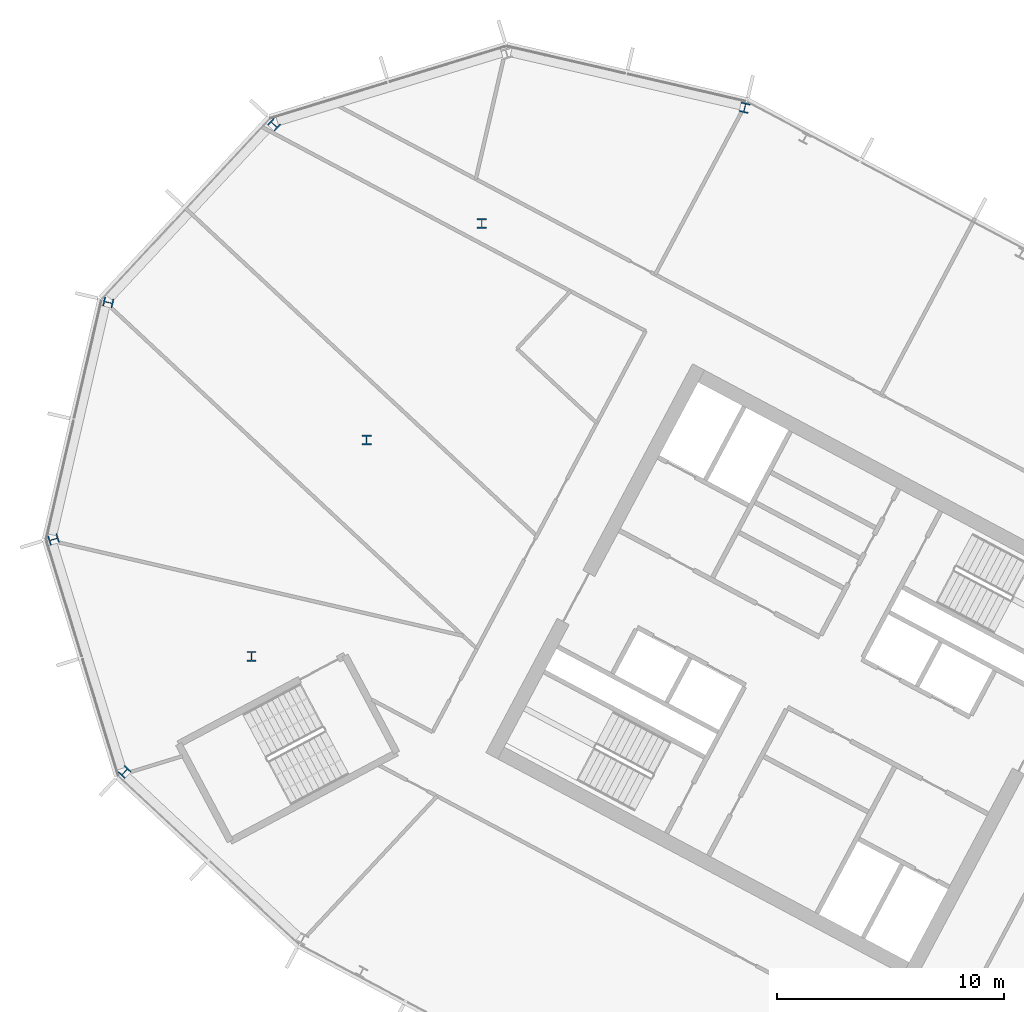
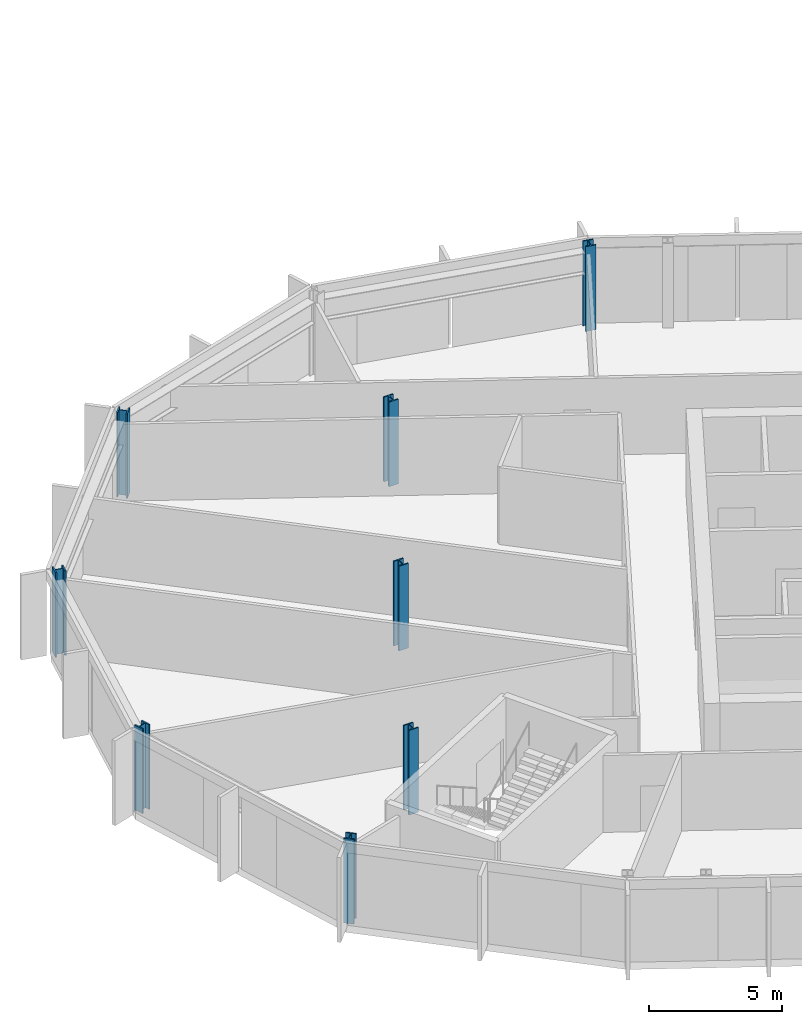
# One storey, part 3 of 27: 8 columns.
"""IFC4 building model written with IfcOpenShell, lengths in metres."""

import ifcopenshell
import ifcopenshell.guid

model = None  # the IFC model being written
_history = None  # IfcOwnerHistory: only IFC2X3 demands one
_inside = {}  # id of a spatial element -> (the spatial element, [elements in it])
_under = {}  # id of a project, library or spatial element -> (it, [spatial elements below it])
_declared = {}  # id of a project -> (the project, [libraries it declares])
_typed = {}  # id of a type object -> (the type object, [elements of that type])
_made_of = {}  # id of a material, layer set ... -> (it, [elements and type objects made of it])


def new_model(schema):
    """Start an empty IFC model of exactly this schema.

    Asked for "IFC4X3", IfcOpenShell would pick the latest addendum, in which some entities
    have other attributes; the version numbers below select the first issue.
    IFC2X3 requires an IfcOwnerHistory on every rooted entity: one is made here for all.
    """
    global model, _history
    if schema == "IFC4X3":
        model = ifcopenshell.file(schema_version=(4, 3, 0, 0))
    else:
        model = ifcopenshell.file(schema=schema)
    _inside.clear()
    _under.clear()
    _declared.clear()
    _typed.clear()
    _made_of.clear()
    _history = None
    if model.schema == "IFC2X3":
        org = make("IfcOrganization", Name="unknown")
        user = make(
            "IfcPersonAndOrganization",
            ThePerson=make("IfcPerson", FamilyName="unknown"),
            TheOrganization=org,
        )
        app = make(
            "IfcApplication",
            ApplicationDeveloper=org,
            Version="unknown",
            ApplicationFullName="unknown",
            ApplicationIdentifier="unknown",
        )
        _history = make(
            "IfcOwnerHistory",
            OwningUser=user,
            OwningApplication=app,
            ChangeAction="ADDED",
            CreationDate=0,
        )
    return model


def make(cls, **values):
    """One entity of the class cls with the attributes given. An attribute that is None is left unset."""
    return model.create_entity(
        cls, **{name: value for name, value in values.items() if value is not None}
    )


def rooted(cls, **values):
    """An entity with a GlobalId (a new one), such as an element, a storey or a relation."""
    return make(cls, GlobalId=ifcopenshell.guid.new(), OwnerHistory=_history, **values)


def si_unit(unit_type, name, prefix=None):
    """IfcSIUnit, for example si_unit("LENGTHUNIT", "METRE", prefix="MILLI")."""
    return make("IfcSIUnit", UnitType=unit_type, Prefix=prefix, Name=name)


def assignment(units):
    """IfcUnitAssignment: the units of a project."""
    return None if units is None else make("IfcUnitAssignment", Units=units)


def point(xyz):
    """IfcCartesianPoint."""
    return None if xyz is None else make("IfcCartesianPoint", Coordinates=xyz)


def direction(xyz):
    """IfcDirection."""
    return None if xyz is None else make("IfcDirection", DirectionRatios=xyz)


def frame(location, z_axis=None, x_axis=None):
    """IfcAxis2Placement3D, a coordinate frame: its origin and axes. An axis left out is left unset."""
    return make(
        "IfcAxis2Placement3D",
        Location=point(location),
        Axis=direction(z_axis),
        RefDirection=direction(x_axis),
    )


def frame_2d(location, x_axis=None):
    """IfcAxis2Placement2D, a coordinate frame in the plane: its origin and x axis."""
    return make(
        "IfcAxis2Placement2D", Location=point(location), RefDirection=direction(x_axis)
    )


def origin():
    """The frame at (0, 0, 0) with its axes left unset."""
    return frame((0.0, 0.0, 0.0))


def origin_2d():
    """The frame at (0, 0) in the plane with its x axis left unset."""
    return frame_2d((0.0, 0.0))


def place(relative_to, where):
    """IfcLocalPlacement: puts the frame where relative to a parent placement (None: the world)."""
    return make(
        "IfcLocalPlacement", PlacementRelTo=relative_to, RelativePlacement=where
    )


def context(
    kind, dimensions, precision=None, world=None, true_north=None, identifier=None
):
    """IfcGeometricRepresentationContext, for example the 3D "Model" context."""
    return make(
        "IfcGeometricRepresentationContext",
        ContextIdentifier=identifier,
        ContextType=kind,
        CoordinateSpaceDimension=dimensions,
        Precision=precision,
        WorldCoordinateSystem=world,
        TrueNorth=true_north,
    )


def subcontext(parent, identifier, kind, view, scale=None):
    """IfcGeometricRepresentationSubContext, for example "Body" below "Model"."""
    return make(
        "IfcGeometricRepresentationSubContext",
        ContextIdentifier=identifier,
        ContextType=kind,
        ParentContext=parent,
        TargetScale=scale,
        TargetView=view,
    )


def project(units=None, contexts=None):
    """IfcProject with its units and contexts."""
    return rooted(
        "IfcProject",
        Name="project",
        RepresentationContexts=contexts,
        UnitsInContext=assignment(units),
    )


def spatial(cls, under=None, at=None, **own):
    """A site, building, storey or space (cls), placed at a placement, below another one or the project."""
    s = rooted(cls, ObjectPlacement=at, **own)
    if under is not None:
        _under.setdefault(under.id(), (under, []))[1].append(s)
    return s


def profile(cls, at=None, kind="AREA", **sizes):
    """A parametric profile (cls). Its sizes go by their IFC names, for example OverallWidth=200.0."""
    return make(cls, ProfileType=kind, Position=at, **sizes)


def i_section(**sizes):
    """IfcIShapeProfileDef."""
    return profile("IfcIShapeProfileDef", **sizes)


def extrude(swept, where, along, depth):
    """IfcExtrudedAreaSolid: the profile swept, set in the frame where, extruded along a direction by depth."""
    return make(
        "IfcExtrudedAreaSolid",
        SweptArea=swept,
        Position=where,
        ExtrudedDirection=direction(along),
        Depth=depth,
    )


def shape(context_of_items, identifier, shape_type, items):
    """IfcShapeRepresentation: the items that make up one representation, for example the "Body"."""
    return make(
        "IfcShapeRepresentation",
        ContextOfItems=context_of_items,
        RepresentationIdentifier=identifier,
        RepresentationType=shape_type,
        Items=items,
    )


def material(Name=None, Category=None):
    """IfcMaterial."""
    return make("IfcMaterial", Name=Name, Category=Category)


def material_profile(
    of_material, cross_section, Name=None, Category=None, Priority=None
):
    """IfcMaterialProfile: a cross section and its material."""
    return make(
        "IfcMaterialProfile",
        Name=Name,
        Material=of_material,
        Profile=cross_section,
        Priority=Priority,
        Category=Category,
    )


def profile_set(profiles, Name=None, composite=None):
    """IfcMaterialProfileSet."""
    return make(
        "IfcMaterialProfileSet",
        Name=Name,
        MaterialProfiles=profiles,
        CompositeProfile=composite,
    )


def made_of(thing, what):
    """Note that an element or type object is made of a material, layer set ...; save() writes the relation."""
    if what is not None:
        _made_of.setdefault(what.id(), (what, []))[1].append(thing)
    return thing


def type_object(cls, material=None, **own):
    """A type object (cls), such as IfcWallType, which elements share."""
    return made_of(rooted(cls, **own), material)


def element(
    cls,
    number,
    at=None,
    inside=None,
    cuts=None,
    type_object=None,
    material=None,
    context=None,
    identifier="Body",
    shape_type=None,
    held_by="IfcProductDefinitionShape",
    body=None,
    shapes=None,
    **own,
):
    """One element of the class cls, such as IfcWall. Its Tag is "e" and its number.

    at: its placement. inside: the storey or other place that contains it. cuts: it is an
    opening in that element (IfcRelVoidsElement). A single representation is given by context,
    identifier, shape_type and body (its items); several are given by shapes. held_by: the class
    of the entity that holds the representations. save() writes the other relations.
    """
    e = rooted(cls, Tag="e%d" % number, ObjectPlacement=at, **own)
    if body is not None:
        shapes = [shape(context, identifier, shape_type, body)]
    if shapes is not None:
        e.Representation = make(held_by, Representations=shapes)
    if inside is not None:
        _inside.setdefault(inside.id(), (inside, []))[1].append(e)
    if cuts is not None:
        rooted(
            "IfcRelVoidsElement", RelatingBuildingElement=cuts, RelatedOpeningElement=e
        )
    if type_object is not None:
        _typed.setdefault(type_object.id(), (type_object, []))[1].append(e)
    return made_of(e, material)


def aggregate(whole, parts):
    """IfcRelAggregates: a whole, such as a stair, and the parts it consists of."""
    return rooted("IfcRelAggregates", RelatingObject=whole, RelatedObjects=parts)


def save(model, path):
    """Write the relations noted so far, then the file.

    IfcRelAggregates (storeys below a building ...), IfcRelContainedInSpatialStructure (elements
    in a storey), IfcRelDefinesByType, IfcRelAssociatesMaterial and IfcRelDeclares: one each for
    every whole, place, type object, material and project.
    """
    for whole, parts in _under.values():
        aggregate(whole, parts)
    for where, things in _inside.values():
        rooted(
            "IfcRelContainedInSpatialStructure",
            RelatedElements=things,
            RelatingStructure=where,
        )
    for kind, things in _typed.values():
        rooted("IfcRelDefinesByType", RelatedObjects=things, RelatingType=kind)
    for what, things in _made_of.values():
        rooted("IfcRelAssociatesMaterial", RelatedObjects=things, RelatingMaterial=what)
    for by, libraries in _declared.values():
        rooted("IfcRelDeclares", RelatingContext=by, RelatedDefinitions=libraries)
    model.write(path)


model = new_model("IFC4")

# Units and contexts
model_context = context("Model", 3, precision=1e-05, world=origin(), true_north=direction((0.0, 1.0)))
body_context = subcontext(model_context, "Body", "Model", "MODEL_VIEW")
ifc_project = project(units=[si_unit("LENGTHUNIT", "METRE"), si_unit("AREAUNIT", "SQUARE_METRE"), si_unit("VOLUMEUNIT", "CUBIC_METRE"), si_unit("PLANEANGLEUNIT", "RADIAN"), si_unit("MASSUNIT", "GRAM", prefix="KILO")], contexts=[model_context])

# Site, building, storey
site_placement = place(None, origin())
site = spatial("IfcSite", under=ifc_project, at=site_placement, CompositionType="ELEMENT")
building_placement = place(site_placement, origin())
building = spatial("IfcBuilding", under=site, at=building_placement, Name="Cormorant Relay Tower", CompositionType="ELEMENT")
storey_placement = place(building_placement, frame((0.0, 0.0, 209.10009765625)))
storey = spatial("IfcBuildingStorey", under=building, at=storey_placement, Name="L45", CompositionType="ELEMENT", Elevation=209.10009765625)

# Columns
ifc_material = material(Name="Steel ASTM A992 (Fy 345 MPa)", Category="steel")
ifc_material_profile = material_profile(ifc_material, i_section(OverallWidth=0.41162109375, OverallDepth=0.434326171875, WebThickness=0.035888671875, FlangeThickness=0.057373046875, FilletRadius=0.01513671875, at=origin_2d()), Name="W360x463")
ifc_profile_set = profile_set([ifc_material_profile], Name="Steel ASTM A992 (Fy 345 MPa)")
column_type = type_object("IfcColumnType", Name="Column W360x463", PredefinedType="COLUMN", material=ifc_profile_set)
for number, where, z_axis, x_axis, name in (
    (1, (-57.279052734375, 10.162109375, 0.0), (0.0, 0.0, 1.0), (0.731353701619, -0.681998360062, 0.0), "Column L45-022"),
    (2, (-51.68994140625, 15.251953125, 0.0), (0.0, 0.0, 1.0), (1.0, 0.0, 0.0), "Column L45-027"),
    (3, (-60.409912109375, 20.404052734375, 0.0), (0.0, 0.0, 1.0), (0.292371704723, -0.956304755963, 0.0), "Column L45-028"),
    (4, (-46.6201171875, 24.7880859375, 0.0), (0.0, 0.0, 1.0), (1.0, 0.0, 0.0), "Column L45-031"),
    (5, (-58.0009765625, 30.840087890625, 0.0), (0.0, 0.0, 1.0), (-0.224951054344, -0.974370064785, 0.0), "Column L45-034"),
    (6, (-41.549072265625, 34.323974609375, 0.0), (0.0, 0.0, 1.0), (1.0, 0.0, 0.0), "Column L45-038"),
    (7, (-50.697021484375, 38.672119140625, 0.0), (0.0, 0.0, 1.0), (-0.681998360062, -0.731353701619, 0.0), "Column L45-042"),
    (8, (-29.968017578125, 39.4150390625, 0.0), (0.0, 0.0, 1.0), (-0.974370064785, 0.224951054344, 0.0), "Column L45-044"),
):
    element("IfcColumn", number, at=place(storey_placement, frame(where, z_axis=z_axis, x_axis=x_axis)), inside=storey, type_object=column_type, Name=name, PredefinedType="COLUMN", context=body_context, shape_type="SweptSolid", body=[
        extrude(i_section(OverallWidth=0.41162109375, OverallDepth=0.434326171875, WebThickness=0.035888671875, FlangeThickness=0.057373046875, FilletRadius=0.01513671875, at=origin_2d()), origin(), (0.0, 0.0, 1.0), 3.89990234375),
    ])

save(model, "model.ifc")
